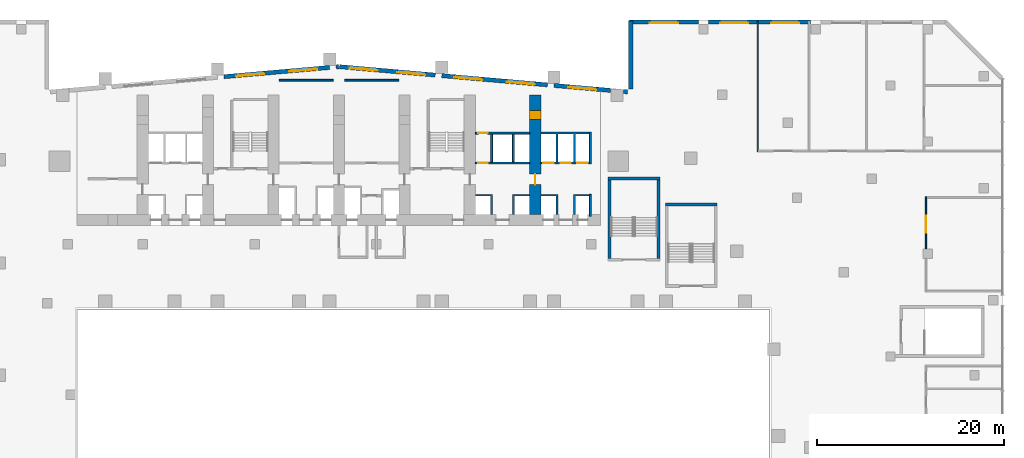
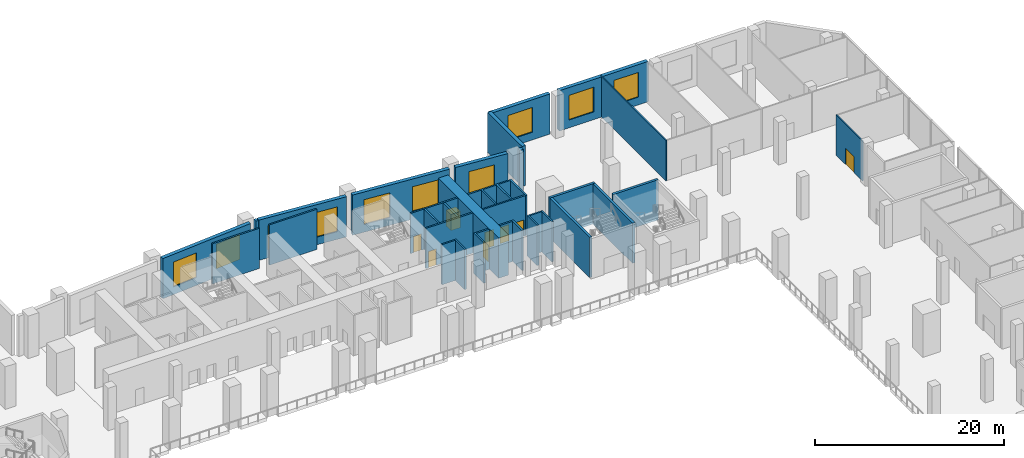
# One storey, part 16 of 25: 30 walls, 10 windows, 8 doors, 18 openings.
"""IFC4 building model written with IfcOpenShell, lengths in metres."""

from ifc_helpers import new_model, si_unit, direction, frame, frame_2d, origin, place, context, subcontext, project, spatial, polyline, rectangle, outline, extrude, material, layer, layer_set, type_object, element, fill, save


model = new_model("IFC4")

# Units and contexts
model_context = context("Model", 3, precision=1e-05, world=origin(), true_north=direction((0.0, 1.0)))
body_context = subcontext(model_context, "Body", "Model", "MODEL_VIEW")
ifc_project = project(units=[si_unit("LENGTHUNIT", "METRE"), si_unit("AREAUNIT", "SQUARE_METRE"), si_unit("VOLUMEUNIT", "CUBIC_METRE"), si_unit("PLANEANGLEUNIT", "RADIAN"), si_unit("MASSUNIT", "GRAM", prefix="KILO")], contexts=[model_context])

# Site, building, storey
site_placement = place(None, origin())
site = spatial("IfcSite", under=ifc_project, at=site_placement, CompositionType="ELEMENT")
building_placement = place(site_placement, origin())
building = spatial("IfcBuilding", under=site, at=building_placement, Name="Wharfspan Tower", CompositionType="ELEMENT")
storey_placement = place(building_placement, frame((0.0, 0.0, 27.5)))
storey = spatial("IfcBuildingStorey", under=building, at=storey_placement, Name="L04", CompositionType="ELEMENT", Elevation=27.5)

# Walls
ifc_material_1 = material(Name="Calcium silicate masonry", Category="masonry")
ifc_layer_1 = layer(ifc_material_1, 0.199951)
ifc_layer_set_1 = layer_set([ifc_layer_1], Name="Calcium silicate masonry")
wall_type_1 = type_object("IfcWallType", Name="Core room wall 200", PredefinedType="PARTITIONING", material=ifc_layer_set_1)
for number, where, z_axis, x_axis, name in (
    (1, (30.600098, 49.55249, 0.0), (0.0, 0.0, 1.0), (1.0, 0.0, 0.0), "sw:L04:RS3"),
    (2, (37.600098, 49.55249, 0.0), (0.0, 0.0, 1.0), (1.0, 0.0, 0.0), "sw:L04:RS4"),
):
    element("IfcWall", number, at=place(storey_placement, frame(where, z_axis=z_axis, x_axis=x_axis)), inside=storey, type_object=wall_type_1, Name=name, PredefinedType="PARTITIONING", context=body_context, shape_type="SweptSolid", body=[
        extrude(rectangle(XDim=5.799805, YDim=0.199951, at=frame_2d((2.899902, 0.0))), origin(), (0.0, 0.0, 1.0), 5.199951),
    ])

# Wall, openings, doors
ifc_material_2 = material(Name="Concrete C70/85", Category="concrete")
ifc_layer_2 = layer(ifc_material_2, 1.199951)
ifc_layer_set_2 = layer_set([ifc_layer_2], Name="Concrete C70/85")
wall_type_2 = type_object("IfcWallType", Name="Core wall fallback 1.2", PredefinedType="SHEAR", material=ifc_layer_set_2)
wall_1_placement = place(storey_placement, frame((58.0, 35.199951, 0.0), z_axis=(0.0, 0.0, 1.0), x_axis=(0.0, 1.0, 0.0)))
wall_1 = element("IfcWall", 3, at=wall_1_placement, inside=storey, type_object=wall_type_2, Name="cw:L04:X7", PredefinedType="SHEAR", context=body_context, shape_type="SweptSolid", body=[
    extrude(rectangle(XDim=12.800049, YDim=1.199951, at=frame_2d((6.399902, 0.0))), origin(), (0.0, 0.0, 1.0), 5.199951),
])
opening_1_placement = place(wall_1_placement, frame((10.133789, 0.0, 0.0)))
opening_1 = element("IfcOpeningElement", 4, at=opening_1_placement, cuts=wall_1, Name="Opening CD04.7X", PredefinedType="OPENING", context=body_context, shape_type="SweptSolid", body=[
    extrude(rectangle(XDim=1.0, YDim=2.100098, at=frame_2d((0.5, 1.050049))), frame((0.0, 0.609863, 0.0), z_axis=(0.0, -1.0, 0.0), x_axis=(1.0, 0.0, 0.0)), (0.0, 0.0, 1.0), 1.219971),
])
opening_2_placement = place(wall_1_placement, frame((3.199951, 0.0, 0.0)))
opening_2 = element("IfcOpeningElement", 5, at=opening_2_placement, cuts=wall_1, Name="Opening CC04.7", PredefinedType="OPENING", context=body_context, shape_type="SweptSolid", body=[
    extrude(rectangle(XDim=1.100098, YDim=2.100098, at=frame_2d((0.550049, 1.050049))), frame((0.0, 0.609863, 0.0), z_axis=(0.0, -1.0, 0.0), x_axis=(1.0, 0.0, 0.0)), (0.0, 0.0, 1.0), 1.219971),
])
ifc_material_3 = material(Name="Steel door leaf", Category="steel")
door_type_1 = type_object("IfcDoorType", Name="Core corridor door 1100x2100", OperationType="SINGLE_SWING_LEFT", PredefinedType="DOOR", material=ifc_material_3)
door_1_placement = place(opening_2_placement, origin())
door_1 = element("IfcDoor", 6, at=door_1_placement, inside=storey, type_object=door_type_1, Name="xd:L04:7", OperationType="SINGLE_SWING_LEFT", OverallHeight=2.100098, OverallWidth=1.100098, PredefinedType="DOOR", context=body_context, shape_type="SweptSolid", body=[
    extrude(rectangle(XDim=1.100098, YDim=2.100098, at=frame_2d((0.550049, 1.050049))), frame((0.0, 0.024902, 0.0), z_axis=(0.0, -1.0, 0.0), x_axis=(1.0, 0.0, 0.0)), (0.0, 0.0, 1.0), 0.050049),
])
fill(opening_2, door_1)
door_type_2 = type_object("IfcDoorType", Name="Core room door 1000x2100", OperationType="SINGLE_SWING_LEFT", PredefinedType="DOOR", material=ifc_material_3)
door_2_placement = place(opening_1_placement, origin())
door_2 = element("IfcDoor", 7, at=door_2_placement, inside=storey, type_object=door_type_2, Name="d:L04:7:sx", OperationType="SINGLE_SWING_LEFT", OverallHeight=2.100098, OverallWidth=1.0, PredefinedType="DOOR", context=body_context, shape_type="SweptSolid", body=[
    extrude(rectangle(XDim=1.0, YDim=2.100098, at=frame_2d((0.5, 1.050049))), frame((0.0, 0.599609, 0.0), z_axis=(0.0, -1.0, 0.0), x_axis=(1.0, 0.0, 0.0)), (0.0, 0.0, 1.0), 1.199463),
])
fill(opening_1, door_2)

# Wall, opening, door
ifc_material_4 = material(Name="Concrete C30/37", Category="concrete")
ifc_layer_3 = layer(ifc_material_4, 0.199951)
ifc_layer_set_3 = layer_set([ifc_layer_3], Name="Concrete C30/37")
wall_type_3 = type_object("IfcWallType", Name="Lift shaft wall 200", PredefinedType="PARTITIONING", material=ifc_layer_set_3)
wall_2_placement = place(storey_placement, frame((51.600098, 40.699951, 0.0), z_axis=(0.0, 0.0, 1.0), x_axis=(1.0, 0.0, 0.0)))
wall_2 = element("IfcWall", 8, at=wall_2_placement, inside=storey, type_object=wall_type_3, Name="sw:L04:RF6", PredefinedType="PARTITIONING", context=body_context, shape_type="SweptSolid", body=[
    extrude(rectangle(XDim=5.799805, YDim=0.199951, at=frame_2d((2.899902, 0.0))), origin(), (0.0, 0.0, 1.0), 5.199951),
])
opening_3_placement = place(wall_2_placement, frame((0.31665, 0.0, 0.0)))
opening_3 = element("IfcOpeningElement", 9, at=opening_3_placement, cuts=wall_2, Name="Opening CD04.6R1", PredefinedType="OPENING", context=body_context, shape_type="SweptSolid", body=[
    extrude(rectangle(XDim=1.0, YDim=2.100098, at=frame_2d((0.5, 1.050049))), frame((0.0, 0.109863, 0.0), z_axis=(0.0, -1.0, 0.0), x_axis=(1.0, 0.0, 0.0)), (0.0, 0.0, 1.0), 0.219971),
])
door_3_placement = place(opening_3_placement, origin())
door_3 = element("IfcDoor", 10, at=door_3_placement, inside=storey, type_object=door_type_2, Name="d:L04:6:rd6.1", OperationType="SINGLE_SWING_RIGHT", OverallHeight=2.100098, OverallWidth=1.0, PredefinedType="DOOR", context=body_context, shape_type="SweptSolid", body=[
    extrude(rectangle(XDim=1.0, YDim=2.100098, at=frame_2d((0.5, 1.050049))), frame((0.0, 0.024902, 0.0), z_axis=(0.0, -1.0, 0.0), x_axis=(1.0, 0.0, 0.0)), (0.0, 0.0, 1.0), 0.050049),
])
fill(opening_3, door_3)

wall_3_placement = place(storey_placement, frame((51.600098, 43.899902, 0.0), z_axis=(0.0, 0.0, 1.0), x_axis=(1.0, 0.0, 0.0)))
wall_3 = element("IfcWall", 11, at=wall_3_placement, inside=storey, type_object=wall_type_3, Name="sw:L04:RR6", PredefinedType="PARTITIONING", context=body_context, shape_type="SweptSolid", body=[
    extrude(rectangle(XDim=5.799805, YDim=0.199951, at=frame_2d((2.899902, 0.0))), origin(), (0.0, 0.0, 1.0), 5.199951),
])
opening_4_placement = place(wall_3_placement, frame((0.31665, 0.0, 0.0)))
opening_4 = element("IfcOpeningElement", 12, at=opening_4_placement, cuts=wall_3, Name="Opening CD04.6S1", PredefinedType="OPENING", context=body_context, shape_type="SweptSolid", body=[
    extrude(rectangle(XDim=1.0, YDim=2.100098, at=frame_2d((0.5, 1.050049))), frame((0.0, 0.109863, 0.0), z_axis=(0.0, -1.0, 0.0), x_axis=(1.0, 0.0, 0.0)), (0.0, 0.0, 1.0), 0.219971),
])
door_4_placement = place(opening_4_placement, origin())
door_4 = element("IfcDoor", 13, at=door_4_placement, inside=storey, type_object=door_type_2, Name="d:L04:6:rs6.1", OperationType="SINGLE_SWING_LEFT", OverallHeight=2.100098, OverallWidth=1.0, PredefinedType="DOOR", context=body_context, shape_type="SweptSolid", body=[
    extrude(rectangle(XDim=1.0, YDim=2.100098, at=frame_2d((0.5, 1.050049))), frame((0.0, 0.024902, 0.0), z_axis=(0.0, -1.0, 0.0), x_axis=(1.0, 0.0, 0.0)), (0.0, 0.0, 1.0), 0.050049),
])
fill(opening_4, door_4)

# Walls
wall_4_placement = place(storey_placement, frame((0.0, 0.0, -0.000244)))
element("IfcWall", 14, at=wall_4_placement, inside=storey, type_object=wall_type_3, Name="sw:L04:FM6.0", PredefinedType="PARTITIONING", context=body_context, shape_type="SweptSolid", body=[
    extrude(outline(polyline([(53.233398, 37.149902), (51.600098, 37.149902), (51.600098, 37.350098), (53.233398, 37.350098), (53.43335, 37.350098), (53.43335, 35.199951), (53.233398, 35.199951), (53.233398, 37.149902)])), origin(), (0.0, 0.0, 1.0), 5.200195),
])
wall_5_placement = place(storey_placement, frame((0.0, 0.0, -0.000244)))
element("IfcWall", 15, at=wall_5_placement, inside=storey, type_object=wall_type_3, Name="sw:L04:FM6.1", PredefinedType="PARTITIONING", context=body_context, shape_type="SweptSolid", body=[
    extrude(outline(polyline([(55.56665, 37.350098), (55.766602, 37.350098), (57.399902, 37.350098), (57.399902, 37.149902), (55.766602, 37.149902), (55.766602, 35.199951), (55.56665, 35.199951), (55.56665, 37.350098)])), origin(), (0.0, 0.0, 1.0), 5.200195),
])
wall_6_placement = place(storey_placement, frame((0.0, 0.0, -0.000244)))
element("IfcWall", 16, at=wall_6_placement, inside=storey, type_object=wall_type_3, Name="sw:L04:RM6.0", PredefinedType="PARTITIONING", context=body_context, shape_type="SweptSolid", body=[
    extrude(outline(polyline([(53.233398, 40.800049), (53.233398, 43.800049), (53.43335, 43.800049), (53.43335, 40.800049), (53.233398, 40.800049)])), origin(), (0.0, 0.0, 1.0), 5.200195),
])
wall_7_placement = place(storey_placement, frame((0.0, 0.0, -0.000244)))
element("IfcWall", 17, at=wall_7_placement, inside=storey, type_object=wall_type_3, Name="sw:L04:RM6.1", PredefinedType="PARTITIONING", context=body_context, shape_type="SweptSolid", body=[
    extrude(outline(polyline([(55.56665, 40.800049), (55.56665, 43.800049), (55.766602, 43.800049), (55.766602, 40.800049), (55.56665, 40.800049)])), origin(), (0.0, 0.0, 1.0), 5.200195),
])

# Wall, openings, doors
wall_8_placement = place(storey_placement, frame((58.600098, 40.699951, 0.0), z_axis=(0.0, 0.0, 1.0), x_axis=(1.0, 0.0, 0.0)))
wall_8 = element("IfcWall", 18, at=wall_8_placement, inside=storey, type_object=wall_type_3, Name="sw:L04:RF7", PredefinedType="PARTITIONING", context=body_context, shape_type="SweptSolid", body=[
    extrude(rectangle(XDim=5.199951, YDim=0.199951, at=frame_2d((2.600098, 0.0))), origin(), (0.0, 0.0, 1.0), 5.199951),
])
opening_5_placement = place(wall_8_placement, frame((0.266602, 0.0, 0.0)))
opening_5 = element("IfcOpeningElement", 19, at=opening_5_placement, cuts=wall_8, Name="Opening LD.LA8.L04", PredefinedType="OPENING", context=body_context, shape_type="SweptSolid", body=[
    extrude(rectangle(XDim=1.100098, YDim=2.100098, at=frame_2d((0.550049, 1.050049))), frame((0.0, 0.109863, 0.0), z_axis=(0.0, -1.0, 0.0), x_axis=(1.0, 0.0, 0.0)), (0.0, 0.0, 1.0), 0.219971),
])
opening_6_placement = place(wall_8_placement, frame((2.116699, 0.0, 0.0)))
opening_6 = element("IfcOpeningElement", 20, at=opening_6_placement, cuts=wall_8, Name="Opening LD.LA9.L04", PredefinedType="OPENING", context=body_context, shape_type="SweptSolid", body=[
    extrude(rectangle(XDim=1.100098, YDim=2.100098, at=frame_2d((0.550049, 1.050049))), frame((0.0, 0.109863, 0.0), z_axis=(0.0, -1.0, 0.0), x_axis=(1.0, 0.0, 0.0)), (0.0, 0.0, 1.0), 0.219971),
])
opening_7_placement = place(wall_8_placement, frame((3.899902, 0.0, 0.0)))
opening_7 = element("IfcOpeningElement", 21, at=opening_7_placement, cuts=wall_8, Name="Opening LD.LA10.L04", PredefinedType="OPENING", context=body_context, shape_type="SweptSolid", body=[
    extrude(rectangle(XDim=1.100098, YDim=2.100098, at=frame_2d((0.550049, 1.050049))), frame((0.0, 0.109863, 0.0), z_axis=(0.0, -1.0, 0.0), x_axis=(1.0, 0.0, 0.0)), (0.0, 0.0, 1.0), 0.219971),
])
ifc_material_5 = material(Name="Stainless steel", Category="steel")
door_type_3 = type_object("IfcDoorType", Name="Lift landing door 1100x2100", OperationType="DOUBLE_DOOR_SLIDING", PredefinedType="DOOR", material=ifc_material_5)
door_5_placement = place(opening_5_placement, origin())
door_5 = element("IfcDoor", 22, at=door_5_placement, inside=storey, type_object=door_type_3, Name="Landing door LA8 L04", OperationType="DOUBLE_DOOR_SLIDING", OverallHeight=2.100098, OverallWidth=1.100098, PredefinedType="DOOR", context=body_context, shape_type="SweptSolid", body=[
    extrude(rectangle(XDim=1.100098, YDim=2.100098, at=frame_2d((0.550049, 1.050049))), frame((0.0, 0.024902, 0.0), z_axis=(0.0, -1.0, 0.0), x_axis=(1.0, 0.0, 0.0)), (0.0, 0.0, 1.0), 0.050049),
])
fill(opening_5, door_5)
door_6_placement = place(opening_6_placement, origin())
door_6 = element("IfcDoor", 23, at=door_6_placement, inside=storey, type_object=door_type_3, Name="Landing door LA9 L04", OperationType="DOUBLE_DOOR_SLIDING", OverallHeight=2.100098, OverallWidth=1.100098, PredefinedType="DOOR", context=body_context, shape_type="SweptSolid", body=[
    extrude(rectangle(XDim=1.100098, YDim=2.100098, at=frame_2d((0.550049, 1.050049))), frame((0.0, 0.024902, 0.0), z_axis=(0.0, -1.0, 0.0), x_axis=(1.0, 0.0, 0.0)), (0.0, 0.0, 1.0), 0.050049),
])
fill(opening_6, door_6)
door_7_placement = place(opening_7_placement, origin())
door_7 = element("IfcDoor", 24, at=door_7_placement, inside=storey, type_object=door_type_3, Name="Landing door LA10 L04", OperationType="DOUBLE_DOOR_SLIDING", OverallHeight=2.100098, OverallWidth=1.100098, PredefinedType="DOOR", context=body_context, shape_type="SweptSolid", body=[
    extrude(rectangle(XDim=1.100098, YDim=2.100098, at=frame_2d((0.550049, 1.050049))), frame((0.0, 0.024902, 0.0), z_axis=(0.0, -1.0, 0.0), x_axis=(1.0, 0.0, 0.0)), (0.0, 0.0, 1.0), 0.050049),
])
fill(opening_7, door_7)

# Walls
wall_9_placement = place(storey_placement, frame((0.0, 0.0, -0.000244)))
element("IfcWall", 25, at=wall_9_placement, inside=storey, type_object=wall_type_3, Name="sw:L04:FM7.0", PredefinedType="PARTITIONING", context=body_context, shape_type="SweptSolid", body=[
    extrude(outline(polyline([(60.233398, 37.149902), (58.600098, 37.149902), (58.600098, 37.350098), (60.233398, 37.350098), (60.43335, 37.350098), (60.43335, 35.199951), (60.233398, 35.199951), (60.233398, 37.149902)])), origin(), (0.0, 0.0, 1.0), 5.200195),
])
wall_10_placement = place(storey_placement, frame((0.0, 0.0, -0.000244)))
element("IfcWall", 26, at=wall_10_placement, inside=storey, type_object=wall_type_3, Name="sw:L04:FM7.1", PredefinedType="PARTITIONING", context=body_context, shape_type="SweptSolid", body=[
    extrude(outline(polyline([(62.100098, 37.350098), (62.300049, 37.350098), (63.800049, 37.350098), (63.800049, 37.149902), (62.300049, 37.149902), (62.300049, 35.199951), (62.100098, 35.199951), (62.100098, 37.350098)])), origin(), (0.0, 0.0, 1.0), 5.200195),
])
wall_11_placement = place(storey_placement, frame((0.0, 0.0, -0.000244)))
element("IfcWall", 27, at=wall_11_placement, inside=storey, type_object=wall_type_3, Name="sw:L04:RM7.0", PredefinedType="PARTITIONING", context=body_context, shape_type="SweptSolid", body=[
    extrude(outline(polyline([(60.43335, 40.800049), (60.233398, 40.800049), (60.233398, 43.800049), (58.600098, 43.800049), (58.600098, 44.0), (63.800049, 44.0), (63.800049, 43.800049), (62.300049, 43.800049), (62.300049, 40.800049), (62.100098, 40.800049), (62.100098, 43.800049), (60.43335, 43.800049), (60.43335, 40.800049)])), origin(), (0.0, 0.0, 1.0), 5.200195),
])
wall_12_placement = place(storey_placement, frame((63.899902, 35.0, 0.0), z_axis=(0.0, 0.0, 1.0), x_axis=(0.0, 1.0, 0.0)))
element("IfcWall", 28, at=wall_12_placement, inside=storey, type_object=wall_type_3, Name="sw:L04:ECF7", PredefinedType="PARTITIONING", context=body_context, shape_type="SweptSolid", body=[
    extrude(rectangle(XDim=2.350098, YDim=0.199951, at=frame_2d((1.175049, 0.0))), origin(), (0.0, 0.0, 1.0), 5.199951),
])
wall_13_placement = place(storey_placement, frame((63.899902, 40.600098, 0.0), z_axis=(0.0, 0.0, 1.0), x_axis=(0.0, 1.0, 0.0)))
element("IfcWall", 29, at=wall_13_placement, inside=storey, type_object=wall_type_3, Name="sw:L04:ECR7", PredefinedType="PARTITIONING", context=body_context, shape_type="SweptSolid", body=[
    extrude(rectangle(XDim=3.399902, YDim=0.199951, at=frame_2d((1.699951, 0.0))), origin(), (0.0, 0.0, 1.0), 5.199951),
])

# Wall, opening, door
ifc_layer_4 = layer(ifc_material_1, 0.149902)
ifc_layer_set_4 = layer_set([ifc_layer_4], Name="Calcium silicate masonry")
wall_type_4 = type_object("IfcWallType", Name="Podium room wall 150", PredefinedType="PARTITIONING", material=ifc_layer_set_4)
wall_14_placement = place(storey_placement, frame((99.800049, 31.51001, 0.0), z_axis=(0.0, 0.0, 1.0), x_axis=(0.0, 1.0, 0.0)))
wall_14 = element("IfcWall", 30, at=wall_14_placement, inside=storey, type_object=wall_type_4, Name="iw:L04:21", PredefinedType="PARTITIONING", context=body_context, shape_type="SweptSolid", body=[
    extrude(rectangle(XDim=5.564941, YDim=0.149902, at=frame_2d((2.782471, 0.0))), origin(), (0.0, 0.0, 1.0), 5.199951),
])
opening_8_placement = place(wall_14_placement, frame((1.745117, 0.0, 0.0)))
opening_8 = element("IfcOpeningElement", 31, at=opening_8_placement, cuts=wall_14, Name="Opening PD04.17", PredefinedType="OPENING", context=body_context, shape_type="SweptSolid", body=[
    extrude(rectangle(XDim=1.800049, YDim=2.100098, at=frame_2d((0.899902, 1.050049))), frame((0.0, 0.084961, 0.0), z_axis=(0.0, -1.0, 0.0), x_axis=(1.0, 0.0, 0.0)), (0.0, 0.0, 1.0), 0.169922),
])
door_type_4 = type_object("IfcDoorType", Name="Podium double door 1800x2100", OperationType="DOUBLE_DOOR_SINGLE_SWING", PredefinedType="DOOR", material=ifc_material_3)
door_8_placement = place(opening_8_placement, origin())
door_8 = element("IfcDoor", 32, at=door_8_placement, inside=storey, type_object=door_type_4, Name="id:L04:17", OperationType="DOUBLE_DOOR_SINGLE_SWING", OverallHeight=2.100098, OverallWidth=1.800049, PredefinedType="DOOR", context=body_context, shape_type="SweptSolid", body=[
    extrude(rectangle(XDim=1.800049, YDim=2.100098, at=frame_2d((0.899902, 1.050049))), frame((0.0, 0.024902, 0.0), z_axis=(0.0, -1.0, 0.0), x_axis=(1.0, 0.0, 0.0)), (0.0, 0.0, 1.0), 0.050049),
])
fill(opening_8, door_8)

# Walls
wall_15_placement = place(storey_placement, frame((81.800049, 41.925049, 0.0), z_axis=(0.0, 0.0, 1.0), x_axis=(0.0, 1.0, 0.0)))
element("IfcWall", 33, at=wall_15_placement, inside=storey, type_object=wall_type_4, Name="iw:L04:46", PredefinedType="PARTITIONING", context=body_context, shape_type="SweptSolid", body=[
    extrude(rectangle(XDim=13.925049, YDim=0.149902, at=frame_2d((6.962402, 0.0))), origin(), (0.0, 0.0, 1.0), 5.199951),
])
ifc_material_6 = material(Name="Concrete C40/50", Category="concrete")
ifc_layer_5 = layer(ifc_material_6, 0.300049)
ifc_layer_set_5 = layer_set([ifc_layer_5], Name="Concrete C40/50")
wall_type_5 = type_object("IfcWallType", Name="Podium stair core wall 300", PredefinedType="SHEAR", material=ifc_layer_set_5)
wall_16_placement = place(storey_placement, frame((65.800049, 39.050049, 0.0), z_axis=(0.0, 0.0, 1.0), x_axis=(1.0, 0.0, 0.0)))
element("IfcWall", 34, at=wall_16_placement, inside=storey, type_object=wall_type_5, Name="iw:L04:PS4N", PredefinedType="SHEAR", context=body_context, shape_type="SweptSolid", body=[
    extrude(rectangle(XDim=5.550049, YDim=0.300049, at=frame_2d((2.774902, 0.0))), origin(), (0.0, 0.0, 1.0), 5.199951),
])
for number, where, z_axis, x_axis, name in (
    (35, (65.949951, 30.5, 0.0), (0.0, 0.0, 1.0), (0.0, 1.0, 0.0), "iw:L04:PS4W"),
    (36, (71.199951, 30.5, 0.0), (0.0, 0.0, 1.0), (0.0, 1.0, 0.0), "iw:L04:PS4E"),
):
    element("IfcWall", number, at=place(storey_placement, frame(where, z_axis=z_axis, x_axis=x_axis)), inside=storey, type_object=wall_type_5, Name=name, PredefinedType="SHEAR", context=body_context, shape_type="SweptSolid", body=[
        extrude(rectangle(XDim=8.399902, YDim=0.300049, at=frame_2d((4.199951, 0.0))), origin(), (0.0, 0.0, 1.0), 5.199951),
    ])
wall_17_placement = place(storey_placement, frame((71.91748, 36.25, 0.0), z_axis=(0.0, 0.0, 1.0), x_axis=(1.0, 0.0, 0.0)))
element("IfcWall", 37, at=wall_17_placement, inside=storey, type_object=wall_type_5, Name="iw:L04:PS5N", PredefinedType="SHEAR", context=body_context, shape_type="SweptSolid", body=[
    extrude(rectangle(XDim=5.550049, YDim=0.300049, at=frame_2d((2.774902, 0.0))), origin(), (0.0, 0.0, 1.0), 5.199951),
])

# Wall, openings, windows
ifc_layer_6 = layer(ifc_material_6, 0.449951)
ifc_layer_set_6 = layer_set([ifc_layer_6], Name="Concrete C40/50")
wall_type_6 = type_object("IfcWallType", Name="WALL BOARD-MARKED CONCRETE 450", PredefinedType="SOLIDWALL", material=ifc_layer_set_6)
wall_18_placement = place(storey_placement, frame((87.449951, 55.774902, 0.0), z_axis=(0.0, 0.0, 1.0), x_axis=(-1.0, 0.0, 0.0)))
wall_18 = element("IfcWall", 38, at=wall_18_placement, inside=storey, type_object=wall_type_6, Name="Podium wall PF5", PredefinedType="SOLIDWALL", context=body_context, shape_type="SweptSolid", body=[
    extrude(rectangle(XDim=10.899902, YDim=0.449951, at=frame_2d((5.449951, 0.0))), origin(), (0.0, 0.0, 1.0), 5.199951),
])
opening_9_placement = place(wall_18_placement, frame((1.225098, 0.0, 1.0)))
opening_9 = element("IfcOpeningElement", 39, at=opening_9_placement, cuts=wall_18, Name="Opening EWN4", PredefinedType="OPENING", context=body_context, shape_type="SweptSolid", body=[
    extrude(rectangle(XDim=3.0, YDim=3.199951, at=frame_2d((1.5, 1.600098))), frame((0.0, 0.234863, 0.0), z_axis=(0.0, -1.0, 0.0), x_axis=(1.0, 0.0, 0.0)), (0.0, 0.0, 1.0), 0.469971),
])
opening_10_placement = place(wall_18_placement, frame((6.675049, 0.0, 1.0)))
opening_10 = element("IfcOpeningElement", 40, at=opening_10_placement, cuts=wall_18, Name="Opening EWN4", PredefinedType="OPENING", context=body_context, shape_type="SweptSolid", body=[
    extrude(rectangle(XDim=3.0, YDim=3.199951, at=frame_2d((1.5, 1.600098))), frame((0.0, 0.234863, 0.0), z_axis=(0.0, -1.0, 0.0), x_axis=(1.0, 0.0, 0.0)), (0.0, 0.0, 1.0), 0.469971),
])
ifc_material_7 = material(Name="Aluminium 6063-T6", Category="aluminium")
window_type = type_object("IfcWindowType", Name="WINDOW 3000x3200", PartitioningType="SINGLE_PANEL", PredefinedType="WINDOW", material=ifc_material_7)
window_1_placement = place(opening_9_placement, origin())
window_1 = element("IfcWindow", 41, at=window_1_placement, inside=storey, type_object=window_type, Name="Podium window", OverallHeight=3.199951, OverallWidth=3.0, PartitioningType="SINGLE_PANEL", PredefinedType="WINDOW", context=body_context, shape_type="SweptSolid", body=[
    extrude(rectangle(XDim=3.0, YDim=3.199951, at=frame_2d((1.5, 1.600098))), frame((0.0, 0.10498, 0.0), z_axis=(0.0, -1.0, 0.0), x_axis=(1.0, 0.0, 0.0)), (0.0, 0.0, 1.0), 0.060059),
])
fill(opening_9, window_1)
window_2_placement = place(opening_10_placement, origin())
window_2 = element("IfcWindow", 42, at=window_2_placement, inside=storey, type_object=window_type, Name="Podium window", OverallHeight=3.199951, OverallWidth=3.0, PartitioningType="SINGLE_PANEL", PredefinedType="WINDOW", context=body_context, shape_type="SweptSolid", body=[
    extrude(rectangle(XDim=3.0, YDim=3.199951, at=frame_2d((1.5, 1.600098))), frame((0.0, 0.10498, 0.0), z_axis=(0.0, -1.0, 0.0), x_axis=(1.0, 0.0, 0.0)), (0.0, 0.0, 1.0), 0.060059),
])
fill(opening_10, window_2)

# Wall, opening, window
wall_19_placement = place(storey_placement, frame((75.449951, 55.774902, 0.0), z_axis=(0.0, 0.0, 1.0), x_axis=(-1.0, 0.0, 0.0)))
wall_19 = element("IfcWall", 43, at=wall_19_placement, inside=storey, type_object=wall_type_6, Name="Podium wall PF5", PredefinedType="SOLIDWALL", context=body_context, shape_type="SweptSolid", body=[
    extrude(rectangle(XDim=7.349854, YDim=0.449951, at=frame_2d((3.674805, 0.0))), origin(), (0.0, 0.0, 1.0), 5.199951),
])
opening_11_placement = place(wall_19_placement, frame((2.175049, 0.0, 1.0)))
opening_11 = element("IfcOpeningElement", 44, at=opening_11_placement, cuts=wall_19, Name="Opening EWN4", PredefinedType="OPENING", context=body_context, shape_type="SweptSolid", body=[
    extrude(rectangle(XDim=3.0, YDim=3.199951, at=frame_2d((1.5, 1.600098))), frame((0.0, 0.234863, 0.0), z_axis=(0.0, -1.0, 0.0), x_axis=(1.0, 0.0, 0.0)), (0.0, 0.0, 1.0), 0.469971),
])
window_3_placement = place(opening_11_placement, origin())
window_3 = element("IfcWindow", 45, at=window_3_placement, inside=storey, type_object=window_type, Name="Podium window", OverallHeight=3.199951, OverallWidth=3.0, PartitioningType="SINGLE_PANEL", PredefinedType="WINDOW", context=body_context, shape_type="SweptSolid", body=[
    extrude(rectangle(XDim=3.0, YDim=3.199951, at=frame_2d((1.5, 1.600098))), frame((0.0, 0.10498, 0.0), z_axis=(0.0, -1.0, 0.0), x_axis=(1.0, 0.0, 0.0)), (0.0, 0.0, 1.0), 0.060059),
])
fill(opening_11, window_3)

# Wall
wall_20_placement = place(storey_placement, frame((68.225098, 55.899902, 0.0), z_axis=(0.0, 0.0, 1.0), x_axis=(0.0, -1.0, 0.0)))
element("IfcWall", 46, at=wall_20_placement, inside=storey, type_object=wall_type_6, Name="Podium wall PF6", PredefinedType="SOLIDWALL", context=body_context, shape_type="SweptSolid", body=[
    extrude(rectangle(XDim=7.274658, YDim=0.449951, at=frame_2d((3.637207, 0.0))), origin(), (0.0, 0.0, 1.0), 5.199951),
])

# Wall, opening, window
wall_21_placement = place(storey_placement, frame((66.05835, 48.468994, 0.0), z_axis=(0.0, 0.0, 1.0), x_axis=(-0.996195, 0.087158, 0.0)))
wall_21 = element("IfcWall", 47, at=wall_21_placement, inside=storey, type_object=wall_type_6, Name="Podium wall PF7", PredefinedType="SOLIDWALL", context=body_context, shape_type="SweptSolid", body=[
    extrude(rectangle(XDim=6.081299, YDim=0.449951, at=frame_2d((3.040527, 0.0))), origin(), (0.0, 0.0, 1.0), 5.199951),
])
opening_12_placement = place(wall_21_placement, frame((1.540527, 0.0, 1.0)))
opening_12 = element("IfcOpeningElement", 48, at=opening_12_placement, cuts=wall_21, Name="Opening EWN4", PredefinedType="OPENING", context=body_context, shape_type="SweptSolid", body=[
    extrude(rectangle(XDim=3.0, YDim=3.199951, at=frame_2d((1.5, 1.600098))), frame((0.0, 0.234863, 0.0), z_axis=(0.0, -1.0, 0.0), x_axis=(1.0, 0.0, 0.0)), (0.0, 0.0, 1.0), 0.469971),
])
window_4_placement = place(opening_12_placement, origin())
window_4 = element("IfcWindow", 49, at=window_4_placement, inside=storey, type_object=window_type, Name="Podium window", OverallHeight=3.199951, OverallWidth=3.0, PartitioningType="SINGLE_PANEL", PredefinedType="WINDOW", context=body_context, shape_type="SweptSolid", body=[
    extrude(rectangle(XDim=3.0, YDim=3.199951, at=frame_2d((1.5, 1.600098))), frame((0.0, 0.10498, 0.0), z_axis=(0.0, -1.0, 0.0), x_axis=(1.0, 0.0, 0.0)), (0.0, 0.0, 1.0), 0.060059),
])
fill(opening_12, window_4)

# Wall, openings, windows
wall_22_placement = place(storey_placement, frame((59.300537, 49.060303, 0.0), z_axis=(0.0, 0.0, 1.0), x_axis=(-0.996195, 0.087145, 0.0)))
wall_22 = element("IfcWall", 50, at=wall_22_placement, inside=storey, type_object=wall_type_6, Name="Podium wall PF7", PredefinedType="SOLIDWALL", context=body_context, shape_type="SweptSolid", body=[
    extrude(rectangle(XDim=11.343506, YDim=0.449951, at=frame_2d((5.671875, 0.0))), origin(), (0.0, 0.0, 1.0), 5.199951),
])
opening_13_placement = place(wall_22_placement, frame((1.335938, 0.0, 1.0)))
opening_13 = element("IfcOpeningElement", 51, at=opening_13_placement, cuts=wall_22, Name="Opening EWN4", PredefinedType="OPENING", context=body_context, shape_type="SweptSolid", body=[
    extrude(rectangle(XDim=3.0, YDim=3.199951, at=frame_2d((1.5, 1.600098))), frame((0.0, 0.234863, 0.0), z_axis=(0.0, -1.0, 0.0), x_axis=(1.0, 0.0, 0.0)), (0.0, 0.0, 1.0), 0.469971),
])
opening_14_placement = place(wall_22_placement, frame((7.007568, 0.0, 1.0)))
opening_14 = element("IfcOpeningElement", 52, at=opening_14_placement, cuts=wall_22, Name="Opening EWN4", PredefinedType="OPENING", context=body_context, shape_type="SweptSolid", body=[
    extrude(rectangle(XDim=3.0, YDim=3.199951, at=frame_2d((1.5, 1.600098))), frame((0.0, 0.234863, 0.0), z_axis=(0.0, -1.0, 0.0), x_axis=(1.0, 0.0, 0.0)), (0.0, 0.0, 1.0), 0.469971),
])
window_5_placement = place(opening_13_placement, origin())
window_5 = element("IfcWindow", 53, at=window_5_placement, inside=storey, type_object=window_type, Name="Podium window", OverallHeight=3.199951, OverallWidth=3.0, PartitioningType="SINGLE_PANEL", PredefinedType="WINDOW", context=body_context, shape_type="SweptSolid", body=[
    extrude(rectangle(XDim=3.0, YDim=3.199951, at=frame_2d((1.5, 1.600098))), frame((0.0, 0.10498, 0.0), z_axis=(0.0, -1.0, 0.0), x_axis=(1.0, 0.0, 0.0)), (0.0, 0.0, 1.0), 0.060059),
])
fill(opening_13, window_5)
window_6_placement = place(opening_14_placement, origin())
window_6 = element("IfcWindow", 54, at=window_6_placement, inside=storey, type_object=window_type, Name="Podium window", OverallHeight=3.199951, OverallWidth=3.0, PartitioningType="SINGLE_PANEL", PredefinedType="WINDOW", context=body_context, shape_type="SweptSolid", body=[
    extrude(rectangle(XDim=3.0, YDim=3.199951, at=frame_2d((1.5, 1.600098))), frame((0.0, 0.10498, 0.0), z_axis=(0.0, -1.0, 0.0), x_axis=(1.0, 0.0, 0.0)), (0.0, 0.0, 1.0), 0.060059),
])
fill(opening_14, window_6)

wall_23_placement = place(storey_placement, frame((47.300537, 50.110107, 0.0), z_axis=(0.0, 0.0, 1.0), x_axis=(-0.996195, 0.087143, 0.0)))
wall_23 = element("IfcWall", 55, at=wall_23_placement, inside=storey, type_object=wall_type_6, Name="Podium wall PF7", PredefinedType="SOLIDWALL", context=body_context, shape_type="SweptSolid", body=[
    extrude(rectangle(XDim=10.259521, YDim=0.449951, at=frame_2d((5.129883, 0.0))), origin(), (0.0, 0.0, 1.0), 5.199951),
])
opening_15_placement = place(wall_23_placement, frame((1.064941, 0.0, 1.0)))
opening_15 = element("IfcOpeningElement", 56, at=opening_15_placement, cuts=wall_23, Name="Opening EWN4", PredefinedType="OPENING", context=body_context, shape_type="SweptSolid", body=[
    extrude(rectangle(XDim=3.0, YDim=3.199951, at=frame_2d((1.5, 1.600098))), frame((0.0, 0.234863, 0.0), z_axis=(0.0, -1.0, 0.0), x_axis=(1.0, 0.0, 0.0)), (0.0, 0.0, 1.0), 0.469971),
])
opening_16_placement = place(wall_23_placement, frame((6.19458, 0.0, 1.0)))
opening_16 = element("IfcOpeningElement", 57, at=opening_16_placement, cuts=wall_23, Name="Opening EWN4", PredefinedType="OPENING", context=body_context, shape_type="SweptSolid", body=[
    extrude(rectangle(XDim=3.0, YDim=3.199951, at=frame_2d((1.5, 1.600098))), frame((0.0, 0.234863, 0.0), z_axis=(0.0, -1.0, 0.0), x_axis=(1.0, 0.0, 0.0)), (0.0, 0.0, 1.0), 0.469971),
])
window_7_placement = place(opening_15_placement, origin())
window_7 = element("IfcWindow", 58, at=window_7_placement, inside=storey, type_object=window_type, Name="Podium window", OverallHeight=3.199951, OverallWidth=3.0, PartitioningType="SINGLE_PANEL", PredefinedType="WINDOW", context=body_context, shape_type="SweptSolid", body=[
    extrude(rectangle(XDim=3.0, YDim=3.199951, at=frame_2d((1.5, 1.600098))), frame((0.0, 0.10498, 0.0), z_axis=(0.0, -1.0, 0.0), x_axis=(1.0, 0.0, 0.0)), (0.0, 0.0, 1.0), 0.060059),
])
fill(opening_15, window_7)
window_8_placement = place(opening_16_placement, origin())
window_8 = element("IfcWindow", 59, at=window_8_placement, inside=storey, type_object=window_type, Name="Podium window", OverallHeight=3.199951, OverallWidth=3.0, PartitioningType="SINGLE_PANEL", PredefinedType="WINDOW", context=body_context, shape_type="SweptSolid", body=[
    extrude(rectangle(XDim=3.0, YDim=3.199951, at=frame_2d((1.5, 1.600098))), frame((0.0, 0.10498, 0.0), z_axis=(0.0, -1.0, 0.0), x_axis=(1.0, 0.0, 0.0)), (0.0, 0.0, 1.0), 0.060059),
])
fill(opening_16, window_8)

# Wall
wall_24_placement = place(storey_placement, frame((67.880859, 48.30957, 0.0), z_axis=(0.0, 0.0, 1.0), x_axis=(-0.99621, 0.086944, 0.0)))
element("IfcWall", 60, at=wall_24_placement, inside=storey, type_object=wall_type_6, Name="Podium wall PF7", PredefinedType="SOLIDWALL", context=body_context, shape_type="SweptSolid", body=[
    extrude(rectangle(XDim=0.435303, YDim=0.449951, at=frame_2d((0.217773, 0.0))), origin(), (0.0, 0.0, 1.0), 5.199951),
])

# Wall, openings, windows
wall_25_placement = place(storey_placement, frame((35.999756, 50.923584, 0.0), z_axis=(0.0, 0.0, 1.0), x_axis=(-0.996195, -0.087145, 0.0)))
wall_25 = element("IfcWall", 61, at=wall_25_placement, inside=storey, type_object=wall_type_6, Name="Podium wall PF8", PredefinedType="SOLIDWALL", context=body_context, shape_type="SweptSolid", body=[
    extrude(rectangle(XDim=11.343506, YDim=0.449951, at=frame_2d((5.671875, 0.0))), origin(), (0.0, 0.0, 1.0), 5.199951),
])
opening_17_placement = place(wall_25_placement, frame((1.335938, 0.0, 1.0)))
opening_17 = element("IfcOpeningElement", 62, at=opening_17_placement, cuts=wall_25, Name="Opening EWN4", PredefinedType="OPENING", context=body_context, shape_type="SweptSolid", body=[
    extrude(rectangle(XDim=3.0, YDim=3.199951, at=frame_2d((1.5, 1.600098))), frame((0.0, 0.234863, 0.0), z_axis=(0.0, -1.0, 0.0), x_axis=(1.0, 0.0, 0.0)), (0.0, 0.0, 1.0), 0.469971),
])
opening_18_placement = place(wall_25_placement, frame((7.007568, 0.0, 1.0)))
opening_18 = element("IfcOpeningElement", 63, at=opening_18_placement, cuts=wall_25, Name="Opening EWN4", PredefinedType="OPENING", context=body_context, shape_type="SweptSolid", body=[
    extrude(rectangle(XDim=3.0, YDim=3.199951, at=frame_2d((1.5, 1.600098))), frame((0.0, 0.234863, 0.0), z_axis=(0.0, -1.0, 0.0), x_axis=(1.0, 0.0, 0.0)), (0.0, 0.0, 1.0), 0.469971),
])
window_9_placement = place(opening_17_placement, origin())
window_9 = element("IfcWindow", 64, at=window_9_placement, inside=storey, type_object=window_type, Name="Podium window", OverallHeight=3.199951, OverallWidth=3.0, PartitioningType="SINGLE_PANEL", PredefinedType="WINDOW", context=body_context, shape_type="SweptSolid", body=[
    extrude(rectangle(XDim=3.0, YDim=3.199951, at=frame_2d((1.5, 1.600098))), frame((0.0, 0.10498, 0.0), z_axis=(0.0, -1.0, 0.0), x_axis=(1.0, 0.0, 0.0)), (0.0, 0.0, 1.0), 0.060059),
])
fill(opening_17, window_9)
window_10_placement = place(opening_18_placement, origin())
window_10 = element("IfcWindow", 65, at=window_10_placement, inside=storey, type_object=window_type, Name="Podium window", OverallHeight=3.199951, OverallWidth=3.0, PartitioningType="SINGLE_PANEL", PredefinedType="WINDOW", context=body_context, shape_type="SweptSolid", body=[
    extrude(rectangle(XDim=3.0, YDim=3.199951, at=frame_2d((1.5, 1.600098))), frame((0.0, 0.10498, 0.0), z_axis=(0.0, -1.0, 0.0), x_axis=(1.0, 0.0, 0.0)), (0.0, 0.0, 1.0), 0.060059),
])
fill(opening_18, window_10)

# Wall
wall_26_placement = place(storey_placement, frame((36.969727, 51.008545, 0.0), z_axis=(0.0, 0.0, 1.0), x_axis=(-0.996186, -0.08729, 0.0)))
element("IfcWall", 66, at=wall_26_placement, inside=storey, type_object=wall_type_6, Name="Podium wall PF8", PredefinedType="SOLIDWALL", context=body_context, shape_type="SweptSolid", body=[
    extrude(rectangle(XDim=0.27124, YDim=0.449951, at=frame_2d((0.135742, 0.0))), origin(), (0.0, 0.0, 1.0), 5.199951),
])

save(model, "model.ifc")
